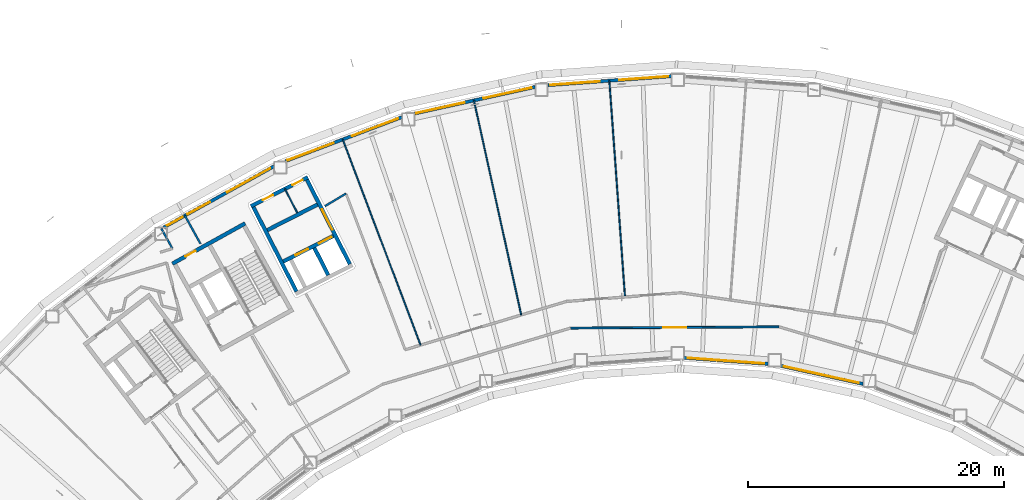
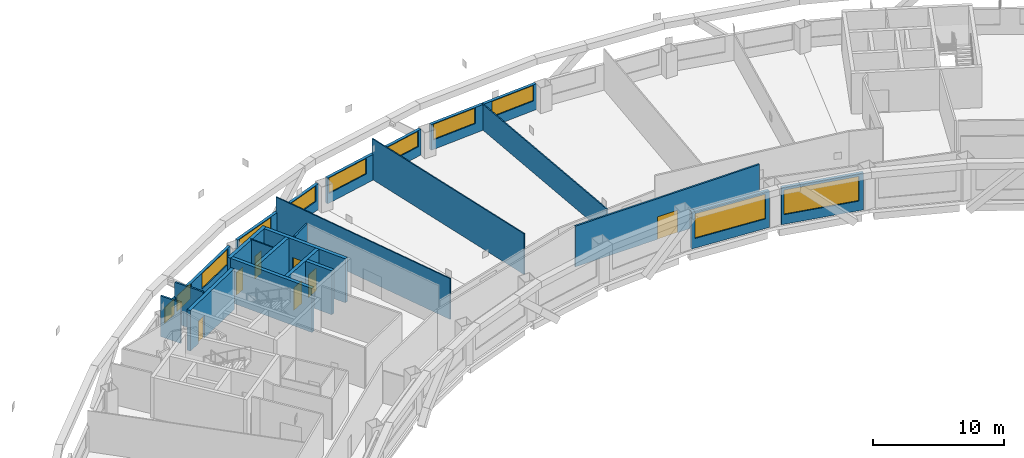
# One storey, part 5 of 19: 21 walls, 11 windows, 7 doors, 18 openings.
"""IFC4 building model written with IfcOpenShell, lengths in metres."""

from ifc_helpers import new_model, si_unit, direction, frame, frame_2d, origin, place, context, subcontext, project, spatial, rectangle, extrude, material, layer, layer_set, type_object, element, fill, save


model = new_model("IFC4")

# Units and contexts
model_context = context("Model", 3, precision=1e-05, world=origin(), true_north=direction((0.0, 1.0)))
body_context = subcontext(model_context, "Body", "Model", "MODEL_VIEW")
ifc_project = project(units=[si_unit("LENGTHUNIT", "METRE"), si_unit("AREAUNIT", "SQUARE_METRE"), si_unit("VOLUMEUNIT", "CUBIC_METRE"), si_unit("PLANEANGLEUNIT", "RADIAN"), si_unit("MASSUNIT", "GRAM", prefix="KILO")], contexts=[model_context])

# Site, building, storey
site_placement = place(None, origin())
site = spatial("IfcSite", under=ifc_project, at=site_placement, CompositionType="ELEMENT")
building_placement = place(site_placement, origin())
building = spatial("IfcBuilding", under=site, at=building_placement, Name="Tuul Gate Civic Tower", CompositionType="ELEMENT")
storey_placement = place(building_placement, frame((0.0, 0.0, 163.39990234375)))
storey = spatial("IfcBuildingStorey", under=building, at=storey_placement, Name="Level 37", CompositionType="ELEMENT", Elevation=163.39990234375)

# Wall, opening, door
ifc_material_1 = material(Name="Concrete C50/60", Category="concrete")
ifc_layer_1 = layer(ifc_material_1, 0.300048828125)
ifc_layer_set_1 = layer_set([ifc_layer_1], Name="Concrete C50/60")
wall_type_1 = type_object("IfcWallType", Name="Core wall C50/60", PredefinedType="SHEAR", material=ifc_layer_set_1)
wall_1_placement = place(storey_placement, frame((-28.4443359375, -1.98095703125, 0.0), z_axis=(0.0, 0.0, 1.0), x_axis=(-0.874629909008, -0.484791215132, 0.0)))
wall_1 = element("IfcWall", 1, at=wall_1_placement, inside=storey, type_object=wall_type_1, Name="Core wall", PredefinedType="SHEAR", context=body_context, shape_type="SweptSolid", body=[
    extrude(rectangle(XDim=6.5, YDim=0.300048828125, at=frame_2d((3.25, 0.0))), origin(), (0.0, 0.0, 1.0), 3.800048828125),
])
opening_1_placement = place(wall_1_placement, frame((4.425048828125, 0.0, 0.0)))
opening_1 = element("IfcOpeningElement", 2, at=opening_1_placement, cuts=wall_1, Name="Opening M-D19", PredefinedType="OPENING", context=body_context, shape_type="SweptSolid", body=[
    extrude(rectangle(XDim=0.89990234375, YDim=2.10009765625, at=frame_2d((0.449951171875, 1.050048828125))), frame((0.0, 0.16015625, 0.0), z_axis=(0.0, -1.0, 0.0), x_axis=(1.0, 0.0, 0.0)), (0.0, 0.0, 1.0), 0.320068359375),
])
ifc_material_2 = material(Name="Timber door leaf", Category="wood")
door_type_1 = type_object("IfcDoorType", Name="Door D09", OperationType="NOTDEFINED", PredefinedType="DOOR", material=ifc_material_2)
door_1_placement = place(opening_1_placement, origin())
door_1 = element("IfcDoor", 3, at=door_1_placement, inside=storey, type_object=door_type_1, Name="Door M-D19", OperationType="SINGLE_SWING_LEFT", OverallHeight=2.10009765625, OverallWidth=0.89990234375, PredefinedType="DOOR", context=body_context, shape_type="SweptSolid", body=[
    extrude(rectangle(XDim=0.89990234375, YDim=2.10009765625, at=frame_2d((0.449951171875, 1.050048828125))), frame((0.0, 0.02490234375, 0.0), z_axis=(0.0, -1.0, 0.0), x_axis=(1.0, 0.0, 0.0)), (0.0, 0.0, 1.0), 0.050048828125),
])
fill(opening_1, door_1)

# Walls
ifc_material_3 = material(Name="Gypsum board partition")
ifc_layer_2 = layer(ifc_material_3, 0.14990234375)
ifc_layer_set_2 = layer_set([ifc_layer_2], Name="Gypsum board partition")
wall_type_2 = type_object("IfcWallType", Name="Corridor wall P150", PredefinedType="PARTITIONING", material=ifc_layer_set_2)
wall_2_placement = place(storey_placement, frame((-22.220703125, -0.64013671875, 0.0), z_axis=(0.0, 0.0, 1.0), x_axis=(0.859125150735, 0.511765547273, 0.0)))
element("IfcWall", 4, at=wall_2_placement, inside=storey, type_object=wall_type_2, Name="p026", PredefinedType="PARTITIONING", context=body_context, shape_type="SweptSolid", body=[
    extrude(rectangle(XDim=1.93505859375, YDim=0.14990234375, at=frame_2d((0.967529296875, 0.0))), origin(), (0.0, 0.0, 1.0), 3.800048828125),
])
wall_3_placement = place(storey_placement, frame((-33.152099609375, -1.37353515625, 0.0), z_axis=(0.0, 0.0, 1.0), x_axis=(0.484157899205, -0.874980644722, 0.0)))
element("IfcWall", 5, at=wall_3_placement, inside=storey, type_object=wall_type_2, Name="p029", PredefinedType="PARTITIONING", context=body_context, shape_type="SweptSolid", body=[
    extrude(rectangle(XDim=2.513671875, YDim=0.14990234375, at=frame_2d((1.2568359375, 0.0))), origin(), (0.0, 0.0, 1.0), 3.800048828125),
])

# Wall, opening, door
wall_4_placement = place(storey_placement, frame((-3.013916015625, -10.1650390625, 0.0), z_axis=(0.0, 0.0, 1.0), x_axis=(0.999981512155, 0.006080735901, 0.0)))
wall_4 = element("IfcWall", 6, at=wall_4_placement, inside=storey, type_object=wall_type_2, Name="p054", PredefinedType="PARTITIONING", context=body_context, shape_type="SweptSolid", body=[
    extrude(rectangle(XDim=16.30078125, YDim=0.14990234375, at=frame_2d((8.150390625, 0.0))), origin(), (0.0, 0.0, 1.0), 3.800048828125),
])
opening_2_placement = place(wall_4_placement, frame((7.25048828125, 0.0, 0.0)))
opening_2 = element("IfcOpeningElement", 7, at=opening_2_placement, cuts=wall_4, Name="Opening M-D13", PredefinedType="OPENING", context=body_context, shape_type="SweptSolid", body=[
    extrude(rectangle(XDim=1.800048828125, YDim=2.10009765625, at=frame_2d((0.89990234375, 1.050048828125))), frame((0.0, 0.0849609375, 0.0), z_axis=(0.0, -1.0, 0.0), x_axis=(1.0, 0.0, 0.0)), (0.0, 0.0, 1.0), 0.169921875),
])
ifc_material_4 = material(Name="Timber door leaf, double", Category="wood")
door_type_2 = type_object("IfcDoorType", Name="Door D18", OperationType="DOUBLE_DOOR_SINGLE_SWING", PredefinedType="DOOR", material=ifc_material_4)
door_2_placement = place(opening_2_placement, frame((1.800048828125, 0.0, 0.0), z_axis=(0.0, 0.0, 1.0), x_axis=(-1.0, 0.0, 0.0)))
door_2 = element("IfcDoor", 8, at=door_2_placement, inside=storey, type_object=door_type_2, Name="Door M-D13", OperationType="DOUBLE_DOOR_SINGLE_SWING", OverallHeight=2.10009765625, OverallWidth=1.800048828125, PredefinedType="DOOR", context=body_context, shape_type="SweptSolid", body=[
    extrude(rectangle(XDim=1.800048828125, YDim=2.10009765625, at=frame_2d((0.900146484375, 1.050048828125))), frame((0.0, 0.02490234375, 0.0), z_axis=(0.0, -1.0, 0.0), x_axis=(1.0, 0.0, 0.0)), (0.0, 0.0, 1.0), 0.050048828125),
])
fill(opening_2, door_2)

# Wall
wall_5_placement = place(storey_placement, frame((-34.98876953125, -2.3916015625, 0.0), z_axis=(0.0, 0.0, 1.0), x_axis=(0.484115066366, -0.875004344285, 0.0)))
element("IfcWall", 9, at=wall_5_placement, inside=storey, type_object=wall_type_2, Name="p065", PredefinedType="PARTITIONING", context=body_context, shape_type="SweptSolid", body=[
    extrude(rectangle(XDim=1.778076171875, YDim=0.14990234375, at=frame_2d((0.88916015625, 0.0))), origin(), (0.0, 0.0, 1.0), 3.800048828125),
])

# Wall, opening, window
ifc_material_5 = material(Name="Precast concrete C40/50", Category="concrete")
ifc_layer_3 = layer(ifc_material_5, 0.25)
ifc_layer_set_3 = layer_set([ifc_layer_3], Name="Precast concrete C40/50")
wall_type_3 = type_object("IfcWallType", Name="External wall", PredefinedType="STANDARD", material=ifc_layer_set_3)
wall_6_placement = place(storey_placement, frame((5.8740234375, -12.48583984375, 0.0), z_axis=(0.0, 0.0, 1.0), x_axis=(0.997383866909, -0.072287080662, 0.0)))
wall_6 = element("IfcWall", 10, at=wall_6_placement, inside=storey, type_object=wall_type_3, Name="External wall", PredefinedType="STANDARD", context=body_context, shape_type="SweptSolid", body=[
    extrude(rectangle(XDim=6.58935546875, YDim=0.25, at=frame_2d((3.294677734375, 0.0))), origin(), (0.0, 0.0, 1.0), 3.4501953125),
])
opening_3_placement = place(wall_6_placement, frame((0.27099609375, 0.0, 0.89990234375)))
opening_3 = element("IfcOpeningElement", 11, at=opening_3_placement, cuts=wall_6, Name="Opening W26", PredefinedType="OPENING", context=body_context, shape_type="SweptSolid", body=[
    extrude(rectangle(XDim=6.0, YDim=2.300048828125, at=frame_2d((3.0, 1.14990234375))), frame((0.0, 0.135009765625, 0.0), z_axis=(0.0, -1.0, 0.0), x_axis=(1.0, 0.0, 0.0)), (0.0, 0.0, 1.0), 0.27001953125),
])
ifc_material_6 = material(Name="Glass", Category="glass")
window_type_1 = type_object("IfcWindowType", Name="Window W26 6000 x 2300", PartitioningType="SINGLE_PANEL", PredefinedType="WINDOW", material=ifc_material_6)
window_1_placement = place(opening_3_placement, origin())
window_1 = element("IfcWindow", 12, at=window_1_placement, inside=storey, type_object=window_type_1, Name="Window", OverallHeight=2.300048828125, OverallWidth=6.0, PartitioningType="SINGLE_PANEL", PredefinedType="WINDOW", context=body_context, shape_type="SweptSolid", body=[
    extrude(rectangle(XDim=6.0, YDim=2.300048828125, at=frame_2d((3.0, 1.14990234375))), frame((0.0, 0.030029296875, 0.0), z_axis=(0.0, -1.0, 0.0), x_axis=(1.0, 0.0, 0.0)), (0.0, 0.0, 1.0), 0.06005859375),
])
fill(opening_3, window_1)

wall_7_placement = place(storey_placement, frame((13.446044921875, -13.115478515625, 0.0), z_axis=(0.0, 0.0, 1.0), x_axis=(0.976557337415, -0.215257442942, 0.0)))
wall_7 = element("IfcWall", 13, at=wall_7_placement, inside=storey, type_object=wall_type_3, Name="External wall", PredefinedType="STANDARD", context=body_context, shape_type="SweptSolid", body=[
    extrude(rectangle(XDim=6.568115234375, YDim=0.25, at=frame_2d((3.2841796875, 0.0))), origin(), (0.0, 0.0, 1.0), 3.4501953125),
])
opening_4_placement = place(wall_7_placement, frame((0.212158203125, 0.0, 0.89990234375)))
opening_4 = element("IfcOpeningElement", 14, at=opening_4_placement, cuts=wall_7, Name="Opening W26", PredefinedType="OPENING", context=body_context, shape_type="SweptSolid", body=[
    extrude(rectangle(XDim=6.0, YDim=2.300048828125, at=frame_2d((3.0, 1.14990234375))), frame((0.0, 0.135009765625, 0.0), z_axis=(0.0, -1.0, 0.0), x_axis=(1.0, 0.0, 0.0)), (0.0, 0.0, 1.0), 0.27001953125),
])
window_2_placement = place(opening_4_placement, origin())
window_2 = element("IfcWindow", 15, at=window_2_placement, inside=storey, type_object=window_type_1, Name="Window", OverallHeight=2.300048828125, OverallWidth=6.0, PartitioningType="SINGLE_PANEL", PredefinedType="WINDOW", context=body_context, shape_type="SweptSolid", body=[
    extrude(rectangle(XDim=6.0, YDim=2.300048828125, at=frame_2d((3.0, 1.14990234375))), frame((0.0, 0.030029296875, 0.0), z_axis=(0.0, -1.0, 0.0), x_axis=(1.0, 0.0, 0.0)), (0.0, 0.0, 1.0), 0.06005859375),
])
fill(opening_4, window_2)

# Wall, openings, windows
ifc_material_7 = material(Name="Precast concrete C40/50", Category="concrete")
ifc_layer_4 = layer(ifc_material_7, 0.25)
ifc_layer_set_4 = layer_set([ifc_layer_4], Name="Precast concrete C40/50")
wall_type_4 = type_object("IfcWallType", Name="External wall 2400 HIGH", PredefinedType="STANDARD", material=ifc_layer_set_4)
wall_8_placement = place(storey_placement, frame((4.8740234375, 9.521484375, 0.0), z_axis=(0.0, 0.0, 1.0), x_axis=(-0.997386456692, -0.07225133914, 0.0)))
wall_8 = element("IfcWall", 16, at=wall_8_placement, inside=storey, type_object=wall_type_4, Name="External wall", PredefinedType="STANDARD", context=body_context, shape_type="SweptSolid", body=[
    extrude(rectangle(XDim=9.67431640625, YDim=0.25, at=frame_2d((4.837158203125, 0.0))), origin(), (0.0, 0.0, 1.0), 2.400146484375),
])
opening_5_placement = place(wall_8_placement, frame((0.25, 0.0, 0.89990234375)))
opening_5 = element("IfcOpeningElement", 17, at=opening_5_placement, cuts=wall_8, Name="Opening W103", PredefinedType="OPENING", context=body_context, shape_type="SweptSolid", body=[
    extrude(rectangle(XDim=3.85009765625, YDim=1.449951171875, at=frame_2d((1.925048828125, 0.72509765625))), frame((0.0, 0.135009765625, 0.0), z_axis=(0.0, -1.0, 0.0), x_axis=(1.0, 0.0, 0.0)), (0.0, 0.0, 1.0), 0.27001953125),
])
opening_6_placement = place(wall_8_placement, frame((5.62109375, 0.0, 0.89990234375)))
opening_6 = element("IfcOpeningElement", 18, at=opening_6_placement, cuts=wall_8, Name="Opening W103", PredefinedType="OPENING", context=body_context, shape_type="SweptSolid", body=[
    extrude(rectangle(XDim=3.85009765625, YDim=1.449951171875, at=frame_2d((1.925048828125, 0.72509765625))), frame((0.0, 0.135009765625, 0.0), z_axis=(0.0, -1.0, 0.0), x_axis=(1.0, 0.0, 0.0)), (0.0, 0.0, 1.0), 0.27001953125),
])
ifc_material_8 = material(Name="Glass", Category="glass")
window_type_2 = type_object("IfcWindowType", Name="Window W103 3850 x 1450", PartitioningType="SINGLE_PANEL", PredefinedType="WINDOW", material=ifc_material_8)
window_3_placement = place(opening_5_placement, origin())
window_3 = element("IfcWindow", 19, at=window_3_placement, inside=storey, type_object=window_type_2, Name="Window", OverallHeight=1.449951171875, OverallWidth=3.85009765625, PartitioningType="SINGLE_PANEL", PredefinedType="WINDOW", context=body_context, shape_type="SweptSolid", body=[
    extrude(rectangle(XDim=3.85009765625, YDim=1.449951171875, at=frame_2d((1.925048828125, 0.72509765625))), frame((0.0, 0.030029296875, 0.0), z_axis=(0.0, -1.0, 0.0), x_axis=(1.0, 0.0, 0.0)), (0.0, 0.0, 1.0), 0.06005859375),
])
fill(opening_5, window_3)
window_4_placement = place(opening_6_placement, origin())
window_4 = element("IfcWindow", 20, at=window_4_placement, inside=storey, type_object=window_type_2, Name="Window", OverallHeight=1.449951171875, OverallWidth=3.85009765625, PartitioningType="SINGLE_PANEL", PredefinedType="WINDOW", context=body_context, shape_type="SweptSolid", body=[
    extrude(rectangle(XDim=3.85009765625, YDim=1.449951171875, at=frame_2d((1.925048828125, 0.72509765625))), frame((0.0, 0.030029296875, 0.0), z_axis=(0.0, -1.0, 0.0), x_axis=(1.0, 0.0, 0.0)), (0.0, 0.0, 1.0), 0.06005859375),
])
fill(opening_6, window_4)

wall_9_placement = place(storey_placement, frame((-5.77490234375, 8.68310546875, 0.0), z_axis=(0.0, 0.0, 1.0), x_axis=(-0.976568733391, -0.215205736364, 0.0)))
wall_9 = element("IfcWall", 21, at=wall_9_placement, inside=storey, type_object=wall_type_4, Name="External wall", PredefinedType="STANDARD", context=body_context, shape_type="SweptSolid", body=[
    extrude(rectangle(XDim=9.654296875, YDim=0.25, at=frame_2d((4.8271484375, 0.0))), origin(), (0.0, 0.0, 1.0), 2.400146484375),
])
opening_7_placement = place(wall_9_placement, frame((0.2880859375, 0.0, 0.89990234375)))
opening_7 = element("IfcOpeningElement", 22, at=opening_7_placement, cuts=wall_9, Name="Opening W103", PredefinedType="OPENING", context=body_context, shape_type="SweptSolid", body=[
    extrude(rectangle(XDim=3.85009765625, YDim=1.449951171875, at=frame_2d((1.925048828125, 0.72509765625))), frame((0.0, 0.135009765625, 0.0), z_axis=(0.0, -1.0, 0.0), x_axis=(1.0, 0.0, 0.0)), (0.0, 0.0, 1.0), 0.27001953125),
])
opening_8_placement = place(wall_9_placement, frame((5.658935546875, 0.0, 0.89990234375)))
opening_8 = element("IfcOpeningElement", 23, at=opening_8_placement, cuts=wall_9, Name="Opening W103", PredefinedType="OPENING", context=body_context, shape_type="SweptSolid", body=[
    extrude(rectangle(XDim=3.85009765625, YDim=1.449951171875, at=frame_2d((1.925048828125, 0.72509765625))), frame((0.0, 0.135009765625, 0.0), z_axis=(0.0, -1.0, 0.0), x_axis=(1.0, 0.0, 0.0)), (0.0, 0.0, 1.0), 0.27001953125),
])
window_5_placement = place(opening_7_placement, origin())
window_5 = element("IfcWindow", 24, at=window_5_placement, inside=storey, type_object=window_type_2, Name="Window", OverallHeight=1.449951171875, OverallWidth=3.85009765625, PartitioningType="SINGLE_PANEL", PredefinedType="WINDOW", context=body_context, shape_type="SweptSolid", body=[
    extrude(rectangle(XDim=3.85009765625, YDim=1.449951171875, at=frame_2d((1.925048828125, 0.72509765625))), frame((0.0, 0.030029296875, 0.0), z_axis=(0.0, -1.0, 0.0), x_axis=(1.0, 0.0, 0.0)), (0.0, 0.0, 1.0), 0.06005859375),
])
fill(opening_7, window_5)
window_6_placement = place(opening_8_placement, origin())
window_6 = element("IfcWindow", 25, at=window_6_placement, inside=storey, type_object=window_type_2, Name="Window", OverallHeight=1.449951171875, OverallWidth=3.85009765625, PartitioningType="SINGLE_PANEL", PredefinedType="WINDOW", context=body_context, shape_type="SweptSolid", body=[
    extrude(rectangle(XDim=3.85009765625, YDim=1.449951171875, at=frame_2d((1.925048828125, 0.72509765625))), frame((0.0, 0.030029296875, 0.0), z_axis=(0.0, -1.0, 0.0), x_axis=(1.0, 0.0, 0.0)), (0.0, 0.0, 1.0), 0.06005859375),
])
fill(opening_8, window_6)

wall_10_placement = place(storey_placement, frame((-16.202880859375, 6.320556640625, 0.0), z_axis=(0.0, 0.0, 1.0), x_axis=(-0.935351451724, -0.353719750307, 0.0)))
wall_10 = element("IfcWall", 26, at=wall_10_placement, inside=storey, type_object=wall_type_4, Name="External wall", PredefinedType="STANDARD", context=body_context, shape_type="SweptSolid", body=[
    extrude(rectangle(XDim=9.712646484375, YDim=0.25, at=frame_2d((4.8564453125, 0.0))), origin(), (0.0, 0.0, 1.0), 2.400146484375),
])
opening_9_placement = place(wall_10_placement, frame((0.31591796875, 0.0, 0.89990234375)))
opening_9 = element("IfcOpeningElement", 27, at=opening_9_placement, cuts=wall_10, Name="Opening W103", PredefinedType="OPENING", context=body_context, shape_type="SweptSolid", body=[
    extrude(rectangle(XDim=3.85009765625, YDim=1.449951171875, at=frame_2d((1.925048828125, 0.72509765625))), frame((0.0, 0.135009765625, 0.0), z_axis=(0.0, -1.0, 0.0), x_axis=(1.0, 0.0, 0.0)), (0.0, 0.0, 1.0), 0.27001953125),
])
opening_10_placement = place(wall_10_placement, frame((5.68701171875, 0.0, 0.89990234375)))
opening_10 = element("IfcOpeningElement", 28, at=opening_10_placement, cuts=wall_10, Name="Opening W103", PredefinedType="OPENING", context=body_context, shape_type="SweptSolid", body=[
    extrude(rectangle(XDim=3.85009765625, YDim=1.449951171875, at=frame_2d((1.925048828125, 0.72509765625))), frame((0.0, 0.135009765625, 0.0), z_axis=(0.0, -1.0, 0.0), x_axis=(1.0, 0.0, 0.0)), (0.0, 0.0, 1.0), 0.27001953125),
])
window_7_placement = place(opening_9_placement, origin())
window_7 = element("IfcWindow", 29, at=window_7_placement, inside=storey, type_object=window_type_2, Name="Window", OverallHeight=1.449951171875, OverallWidth=3.85009765625, PartitioningType="SINGLE_PANEL", PredefinedType="WINDOW", context=body_context, shape_type="SweptSolid", body=[
    extrude(rectangle(XDim=3.85009765625, YDim=1.449951171875, at=frame_2d((1.925048828125, 0.72509765625))), frame((0.0, 0.030029296875, 0.0), z_axis=(0.0, -1.0, 0.0), x_axis=(1.0, 0.0, 0.0)), (0.0, 0.0, 1.0), 0.06005859375),
])
fill(opening_9, window_7)
window_8_placement = place(opening_10_placement, origin())
window_8 = element("IfcWindow", 30, at=window_8_placement, inside=storey, type_object=window_type_2, Name="Window", OverallHeight=1.449951171875, OverallWidth=3.85009765625, PartitioningType="SINGLE_PANEL", PredefinedType="WINDOW", context=body_context, shape_type="SweptSolid", body=[
    extrude(rectangle(XDim=3.85009765625, YDim=1.449951171875, at=frame_2d((1.925048828125, 0.72509765625))), frame((0.0, 0.030029296875, 0.0), z_axis=(0.0, -1.0, 0.0), x_axis=(1.0, 0.0, 0.0)), (0.0, 0.0, 1.0), 0.06005859375),
])
fill(opening_10, window_8)

wall_11_placement = place(storey_placement, frame((-26.18994140625, 2.479736328125, 0.0), z_axis=(0.0, 0.0, 1.0), x_axis=(-0.874631968484, -0.484787499536, 0.0)))
wall_11 = element("IfcWall", 31, at=wall_11_placement, inside=storey, type_object=wall_type_4, Name="External wall", PredefinedType="STANDARD", context=body_context, shape_type="SweptSolid", body=[
    extrude(rectangle(XDim=9.8408203125, YDim=0.25, at=frame_2d((4.92041015625, 0.0))), origin(), (0.0, 0.0, 1.0), 2.400146484375),
])
opening_11_placement = place(wall_11_placement, frame((0.3359375, 0.0, 0.89990234375)))
opening_11 = element("IfcOpeningElement", 32, at=opening_11_placement, cuts=wall_11, Name="Opening W103", PredefinedType="OPENING", context=body_context, shape_type="SweptSolid", body=[
    extrude(rectangle(XDim=3.85009765625, YDim=1.449951171875, at=frame_2d((1.925048828125, 0.72509765625))), frame((0.0, 0.135009765625, 0.0), z_axis=(0.0, -1.0, 0.0), x_axis=(1.0, 0.0, 0.0)), (0.0, 0.0, 1.0), 0.27001953125),
])
opening_12_placement = place(wall_11_placement, frame((5.73193359375, 0.0, 0.89990234375)))
opening_12 = element("IfcOpeningElement", 33, at=opening_12_placement, cuts=wall_11, Name="Opening W125", PredefinedType="OPENING", context=body_context, shape_type="SweptSolid", body=[
    extrude(rectangle(XDim=2.0, YDim=1.449951171875, at=frame_2d((1.0, 0.72509765625))), frame((0.0, 0.135009765625, 0.0), z_axis=(0.0, -1.0, 0.0), x_axis=(1.0, 0.0, 0.0)), (0.0, 0.0, 1.0), 0.27001953125),
])
opening_13_placement = place(wall_11_placement, frame((8.156982421875, 0.0, 0.89990234375)))
opening_13 = element("IfcOpeningElement", 34, at=opening_13_placement, cuts=wall_11, Name="Opening W126", PredefinedType="OPENING", context=body_context, shape_type="SweptSolid", body=[
    extrude(rectangle(XDim=1.39990234375, YDim=1.449951171875, at=frame_2d((0.699951171875, 0.72509765625))), frame((0.0, 0.135009765625, 0.0), z_axis=(0.0, -1.0, 0.0), x_axis=(1.0, 0.0, 0.0)), (0.0, 0.0, 1.0), 0.27001953125),
])
window_9_placement = place(opening_11_placement, origin())
window_9 = element("IfcWindow", 35, at=window_9_placement, inside=storey, type_object=window_type_2, Name="Window", OverallHeight=1.449951171875, OverallWidth=3.85009765625, PartitioningType="SINGLE_PANEL", PredefinedType="WINDOW", context=body_context, shape_type="SweptSolid", body=[
    extrude(rectangle(XDim=3.85009765625, YDim=1.449951171875, at=frame_2d((1.925048828125, 0.72509765625))), frame((0.0, 0.030029296875, 0.0), z_axis=(0.0, -1.0, 0.0), x_axis=(1.0, 0.0, 0.0)), (0.0, 0.0, 1.0), 0.06005859375),
])
fill(opening_11, window_9)
ifc_material_9 = material(Name="Glass", Category="glass")
window_type_3 = type_object("IfcWindowType", Name="Window W125 2000 x 1450", PartitioningType="SINGLE_PANEL", PredefinedType="WINDOW", material=ifc_material_9)
window_10_placement = place(opening_12_placement, origin())
window_10 = element("IfcWindow", 36, at=window_10_placement, inside=storey, type_object=window_type_3, Name="Window", OverallHeight=1.449951171875, OverallWidth=2.0, PartitioningType="SINGLE_PANEL", PredefinedType="WINDOW", context=body_context, shape_type="SweptSolid", body=[
    extrude(rectangle(XDim=2.0, YDim=1.449951171875, at=frame_2d((1.0, 0.72509765625))), frame((0.0, 0.030029296875, 0.0), z_axis=(0.0, -1.0, 0.0), x_axis=(1.0, 0.0, 0.0)), (0.0, 0.0, 1.0), 0.06005859375),
])
fill(opening_12, window_10)
ifc_material_10 = material(Name="Glass", Category="glass")
window_type_4 = type_object("IfcWindowType", Name="Window W126 1400 x 1450", PartitioningType="SINGLE_PANEL", PredefinedType="WINDOW", material=ifc_material_10)
window_11_placement = place(opening_13_placement, origin())
window_11 = element("IfcWindow", 37, at=window_11_placement, inside=storey, type_object=window_type_4, Name="Window", OverallHeight=1.449951171875, OverallWidth=1.39990234375, PartitioningType="SINGLE_PANEL", PredefinedType="WINDOW", context=body_context, shape_type="SweptSolid", body=[
    extrude(rectangle(XDim=1.39990234375, YDim=1.449951171875, at=frame_2d((0.699951171875, 0.72509765625))), frame((0.0, 0.030029296875, 0.0), z_axis=(0.0, -1.0, 0.0), x_axis=(1.0, 0.0, 0.0)), (0.0, 0.0, 1.0), 0.06005859375),
])
fill(opening_13, window_11)

# Wall, openings, doors
ifc_material_11 = material(Name="Concrete C40/50", Category="concrete")
ifc_layer_5 = layer(ifc_material_11, 0.300048828125)
ifc_layer_set_5 = layer_set([ifc_layer_5], Name="Concrete C40/50")
wall_type_5 = type_object("IfcWallType", Name="Lift shaft wall C40/50", PredefinedType="STANDARD", material=ifc_layer_set_5)
wall_12_placement = place(storey_placement, frame((-21.542236328125, -2.962890625, -0.2998046875), z_axis=(0.0, 0.0, 1.0), x_axis=(-0.891005618941, -0.453992276384, 0.0)))
wall_12 = element("IfcWall", 38, at=wall_12_placement, inside=storey, type_object=wall_type_5, Name="Shaft wall", PredefinedType="STANDARD", context=body_context, shape_type="SweptSolid", body=[
    extrude(rectangle(XDim=4.39990234375, YDim=0.300048828125, at=frame_2d((2.199951171875, 0.0))), origin(), (0.0, 0.0, 1.0), 4.099853515625),
])
opening_14_placement = place(wall_12_placement, frame((0.175048828125, 0.0, 0.300048828125)))
opening_14 = element("IfcOpeningElement", 39, at=opening_14_placement, cuts=wall_12, Name="Opening LD-M1", PredefinedType="OPENING", context=body_context, shape_type="SweptSolid", body=[
    extrude(rectangle(XDim=1.10009765625, YDim=2.10009765625, at=frame_2d((0.550048828125, 1.050048828125))), frame((0.0, 0.16015625, 0.0), z_axis=(0.0, -1.0, 0.0), x_axis=(1.0, 0.0, 0.0)), (0.0, 0.0, 1.0), 0.320068359375),
])
opening_15_placement = place(wall_12_placement, frame((2.22509765625, 0.0, 0.300048828125)))
opening_15 = element("IfcOpeningElement", 40, at=opening_15_placement, cuts=wall_12, Name="Opening LD-M2", PredefinedType="OPENING", context=body_context, shape_type="SweptSolid", body=[
    extrude(rectangle(XDim=1.10009765625, YDim=2.10009765625, at=frame_2d((0.550048828125, 1.050048828125))), frame((0.0, 0.16015625, 0.0), z_axis=(0.0, -1.0, 0.0), x_axis=(1.0, 0.0, 0.0)), (0.0, 0.0, 1.0), 0.320068359375),
])
ifc_material_12 = material(Name="Stainless steel", Category="steel")
door_type_3 = type_object("IfcDoorType", Name="Landing door", OperationType="DOUBLE_DOOR_SLIDING", PredefinedType="DOOR", material=ifc_material_12)
door_3_placement = place(opening_14_placement, origin())
door_3 = element("IfcDoor", 41, at=door_3_placement, inside=storey, type_object=door_type_3, Name="Mid-rise lift M1 landing door", OperationType="DOUBLE_DOOR_SLIDING", OverallHeight=2.10009765625, OverallWidth=1.10009765625, PredefinedType="DOOR", context=body_context, shape_type="SweptSolid", body=[
    extrude(rectangle(XDim=1.10009765625, YDim=2.10009765625, at=frame_2d((0.550048828125, 1.050048828125))), frame((0.0, 0.02490234375, 0.0), z_axis=(0.0, -1.0, 0.0), x_axis=(1.0, 0.0, 0.0)), (0.0, 0.0, 1.0), 0.050048828125),
])
fill(opening_14, door_3)
door_4_placement = place(opening_15_placement, origin())
door_4 = element("IfcDoor", 42, at=door_4_placement, inside=storey, type_object=door_type_3, Name="Mid-rise lift M2 landing door", OperationType="DOUBLE_DOOR_SLIDING", OverallHeight=2.10009765625, OverallWidth=1.10009765625, PredefinedType="DOOR", context=body_context, shape_type="SweptSolid", body=[
    extrude(rectangle(XDim=1.10009765625, YDim=2.10009765625, at=frame_2d((0.550048828125, 1.050048828125))), frame((0.0, 0.02490234375, 0.0), z_axis=(0.0, -1.0, 0.0), x_axis=(1.0, 0.0, 0.0)), (0.0, 0.0, 1.0), 0.050048828125),
])
fill(opening_15, door_4)

# Wall
wall_13_placement = place(storey_placement, frame((-22.790771484375, -0.5126953125, -0.2998046875), z_axis=(0.0, 0.0, 1.0), x_axis=(-0.891005618941, -0.453992276384, 0.0)))
element("IfcWall", 43, at=wall_13_placement, inside=storey, type_object=wall_type_5, Name="Shaft wall", PredefinedType="STANDARD", context=body_context, shape_type="SweptSolid", body=[
    extrude(rectangle(XDim=4.39990234375, YDim=0.300048828125, at=frame_2d((2.199951171875, 0.0))), origin(), (0.0, 0.0, 1.0), 4.099853515625),
])

# Wall, openings, doors
wall_14_placement = place(storey_placement, frame((-23.544921875, 1.62841796875, -0.2998046875), z_axis=(0.0, 0.0, 1.0), x_axis=(-0.891002976909, -0.453997461601, 0.0)))
wall_14 = element("IfcWall", 44, at=wall_14_placement, inside=storey, type_object=wall_type_5, Name="Shaft wall", PredefinedType="STANDARD", context=body_context, shape_type="SweptSolid", body=[
    extrude(rectangle(XDim=5.0, YDim=0.300048828125, at=frame_2d((2.5, 0.0))), origin(), (0.0, 0.0, 1.0), 4.099853515625),
])
opening_16_placement = place(wall_14_placement, frame((0.449951171875, 0.0, 0.0)))
opening_16 = element("IfcOpeningElement", 45, at=opening_16_placement, cuts=wall_14, Name="Opening M-D23", PredefinedType="OPENING", context=body_context, shape_type="SweptSolid", body=[
    extrude(rectangle(XDim=0.89990234375, YDim=2.10009765625, at=frame_2d((0.449951171875, 1.050048828125))), frame((0.0, 0.16015625, 0.0), z_axis=(0.0, -1.0, 0.0), x_axis=(1.0, 0.0, 0.0)), (0.0, 0.0, 1.0), 0.320068359375),
])
opening_17_placement = place(wall_14_placement, frame((3.050048828125, 0.0, 0.0)))
opening_17 = element("IfcOpeningElement", 46, at=opening_17_placement, cuts=wall_14, Name="Opening M-D24", PredefinedType="OPENING", context=body_context, shape_type="SweptSolid", body=[
    extrude(rectangle(XDim=0.89990234375, YDim=2.10009765625, at=frame_2d((0.449951171875, 1.050048828125))), frame((0.0, 0.16015625, 0.0), z_axis=(0.0, -1.0, 0.0), x_axis=(1.0, 0.0, 0.0)), (0.0, 0.0, 1.0), 0.320068359375),
])
door_5_placement = place(opening_16_placement, origin())
door_5 = element("IfcDoor", 47, at=door_5_placement, inside=storey, type_object=door_type_1, Name="Door M-D23", OperationType="SINGLE_SWING_RIGHT", OverallHeight=2.10009765625, OverallWidth=0.89990234375, PredefinedType="DOOR", context=body_context, shape_type="SweptSolid", body=[
    extrude(rectangle(XDim=0.89990234375, YDim=2.10009765625, at=frame_2d((0.449951171875, 1.050048828125))), frame((0.0, 0.02490234375, 0.0), z_axis=(0.0, -1.0, 0.0), x_axis=(1.0, 0.0, 0.0)), (0.0, 0.0, 1.0), 0.050048828125),
])
fill(opening_16, door_5)
door_6_placement = place(opening_17_placement, origin())
door_6 = element("IfcDoor", 48, at=door_6_placement, inside=storey, type_object=door_type_1, Name="Door M-D24", OperationType="SINGLE_SWING_LEFT", OverallHeight=2.10009765625, OverallWidth=0.89990234375, PredefinedType="DOOR", context=body_context, shape_type="SweptSolid", body=[
    extrude(rectangle(XDim=0.89990234375, YDim=2.10009765625, at=frame_2d((0.449951171875, 1.050048828125))), frame((0.0, 0.02490234375, 0.0), z_axis=(0.0, -1.0, 0.0), x_axis=(1.0, 0.0, 0.0)), (0.0, 0.0, 1.0), 0.050048828125),
])
fill(opening_17, door_6)

# Wall, opening, door
wall_15_placement = place(storey_placement, frame((-20.2509765625, -5.166748046875, -0.2998046875), z_axis=(0.0, 0.0, 1.0), x_axis=(-0.45401029361, 0.89099643843, 0.0)))
wall_15 = element("IfcWall", 49, at=wall_15_placement, inside=storey, type_object=wall_type_5, Name="Shaft wall", PredefinedType="STANDARD", context=body_context, shape_type="SweptSolid", body=[
    extrude(rectangle(XDim=7.39990234375, YDim=0.300048828125, at=frame_2d((3.699951171875, 0.0))), origin(), (0.0, 0.0, 1.0), 4.099853515625),
])
opening_18_placement = place(wall_15_placement, frame((3.02490234375, 0.0, 0.300048828125)))
opening_18 = element("IfcOpeningElement", 50, at=opening_18_placement, cuts=wall_15, Name="Opening LB-W3-LOBBY-1", PredefinedType="OPENING", context=body_context, shape_type="SweptSolid", body=[
    extrude(rectangle(XDim=1.800048828125, YDim=2.10009765625, at=frame_2d((0.89990234375, 1.050048828125))), frame((0.0, 0.16015625, 0.0), z_axis=(0.0, -1.0, 0.0), x_axis=(1.0, 0.0, 0.0)), (0.0, 0.0, 1.0), 0.320068359375),
])
ifc_material_13 = material(Name="Steel", Category="steel")
door_type_4 = type_object("IfcDoorType", Name="Lobby door", OperationType="DOUBLE_DOOR_SINGLE_SWING", PredefinedType="DOOR", material=ifc_material_13)
door_7_placement = place(opening_18_placement, origin())
door_7 = element("IfcDoor", 51, at=door_7_placement, inside=storey, type_object=door_type_4, Name="Lobby door W3-LOBBY", OperationType="DOUBLE_DOOR_SINGLE_SWING", OverallHeight=2.10009765625, OverallWidth=1.800048828125, PredefinedType="DOOR", context=body_context, shape_type="SweptSolid", body=[
    extrude(rectangle(XDim=1.800048828125, YDim=2.10009765625, at=frame_2d((0.89990234375, 1.050048828125))), frame((0.0, 0.02490234375, 0.0), z_axis=(0.0, -1.0, 0.0), x_axis=(1.0, 0.0, 0.0)), (0.0, 0.0, 1.0), 0.050048828125),
])
fill(opening_18, door_7)

# Walls
wall_16_placement = place(storey_placement, frame((-21.94384765625, -6.029296875, -0.2998046875), z_axis=(0.0, 0.0, 1.0), x_axis=(-0.45403702923, 0.890982814698, 0.0)))
element("IfcWall", 52, at=wall_16_placement, inside=storey, type_object=wall_type_5, Name="Shaft wall", PredefinedType="STANDARD", context=body_context, shape_type="SweptSolid", body=[
    extrude(rectangle(XDim=2.39990234375, YDim=0.300048828125, at=frame_2d((1.199951171875, 0.0))), origin(), (0.0, 0.0, 1.0), 4.099853515625),
])
wall_17_placement = place(storey_placement, frame((-24.438720703125, -7.300537109375, -0.2998046875), z_axis=(0.0, 0.0, 1.0), x_axis=(-0.453984101083, 0.891009784438, 0.0)))
element("IfcWall", 53, at=wall_17_placement, inside=storey, type_object=wall_type_5, Name="Shaft wall", PredefinedType="STANDARD", context=body_context, shape_type="SweptSolid", body=[
    extrude(rectangle(XDim=7.399658203125, YDim=0.300048828125, at=frame_2d((3.69970703125, 0.0))), origin(), (0.0, 0.0, 1.0), 4.099853515625),
])
ifc_material_14 = material(Name="Gypsum board partition")
ifc_layer_6 = layer(ifc_material_14, 0.10009765625)
ifc_layer_set_6 = layer_set([ifc_layer_6], Name="Gypsum board partition")
wall_type_6 = type_object("IfcWallType", Name="Partition P100", PredefinedType="PARTITIONING", material=ifc_layer_set_6)
wall_18_placement = place(storey_placement, frame((-10.56005859375, 7.6337890625, 0.0), z_axis=(0.0, 0.0, 1.0), x_axis=(0.215222100113, -0.976565127179, 0.0)))
element("IfcWall", 54, at=wall_18_placement, inside=storey, type_object=wall_type_6, Name="p022", PredefinedType="PARTITIONING", context=body_context, shape_type="SweptSolid", body=[
    extrude(rectangle(XDim=17.177734375, YDim=0.10009765625, at=frame_2d((8.5888671875, 0.0))), origin(), (0.0, 0.0, 1.0), 3.800048828125),
])
wall_19_placement = place(storey_placement, frame((-20.81298828125, 4.58251953125, 0.0), z_axis=(0.0, 0.0, 1.0), x_axis=(0.35370270944, -0.935357895853, 0.0)))
element("IfcWall", 55, at=wall_19_placement, inside=storey, type_object=wall_type_6, Name="p024", PredefinedType="PARTITIONING", context=body_context, shape_type="SweptSolid", body=[
    extrude(rectangle(XDim=17.189697265625, YDim=0.10009765625, at=frame_2d((8.5947265625, 0.0))), origin(), (0.0, 0.0, 1.0), 3.800048828125),
])
wall_20_placement = place(storey_placement, frame((-24.37353515625, -1.150634765625, 0.0), z_axis=(0.0, 0.0, 1.0), x_axis=(-0.453990218702, 0.891006667384, 0.0)))
element("IfcWall", 56, at=wall_20_placement, inside=storey, type_object=wall_type_6, Name="bW3-BAND-0", PredefinedType="PARTITIONING", context=body_context, shape_type="SweptSolid", body=[
    extrude(rectangle(XDim=2.10009765625, YDim=0.10009765625, at=frame_2d((1.050048828125, 0.0))), origin(), (0.0, 0.0, 1.0), 3.800048828125),
])
ifc_material_15 = material(Name="Gypsum board partition")
ifc_layer_7 = layer(ifc_material_15, 0.10009765625)
ifc_layer_set_7 = layer_set([ifc_layer_7], Name="Gypsum board partition")
wall_type_7 = type_object("IfcWallType", Name="Partition P100 2400 HIGH", PredefinedType="PARTITIONING", material=ifc_layer_set_7)
wall_21_placement = place(storey_placement, frame((0.025390625, 9.17529296875, 0.0), z_axis=(0.0, 0.0, 1.0), x_axis=(0.072240630385, -0.997387232383, 0.0)))
element("IfcWall", 57, at=wall_21_placement, inside=storey, type_object=wall_type_7, Name="p020", PredefinedType="PARTITIONING", context=body_context, shape_type="SweptSolid", body=[
    extrude(rectangle(XDim=16.955078125, YDim=0.10009765625, at=frame_2d((8.4775390625, 0.0))), origin(), (0.0, 0.0, 1.0), 2.400146484375),
])

save(model, "model.ifc")
